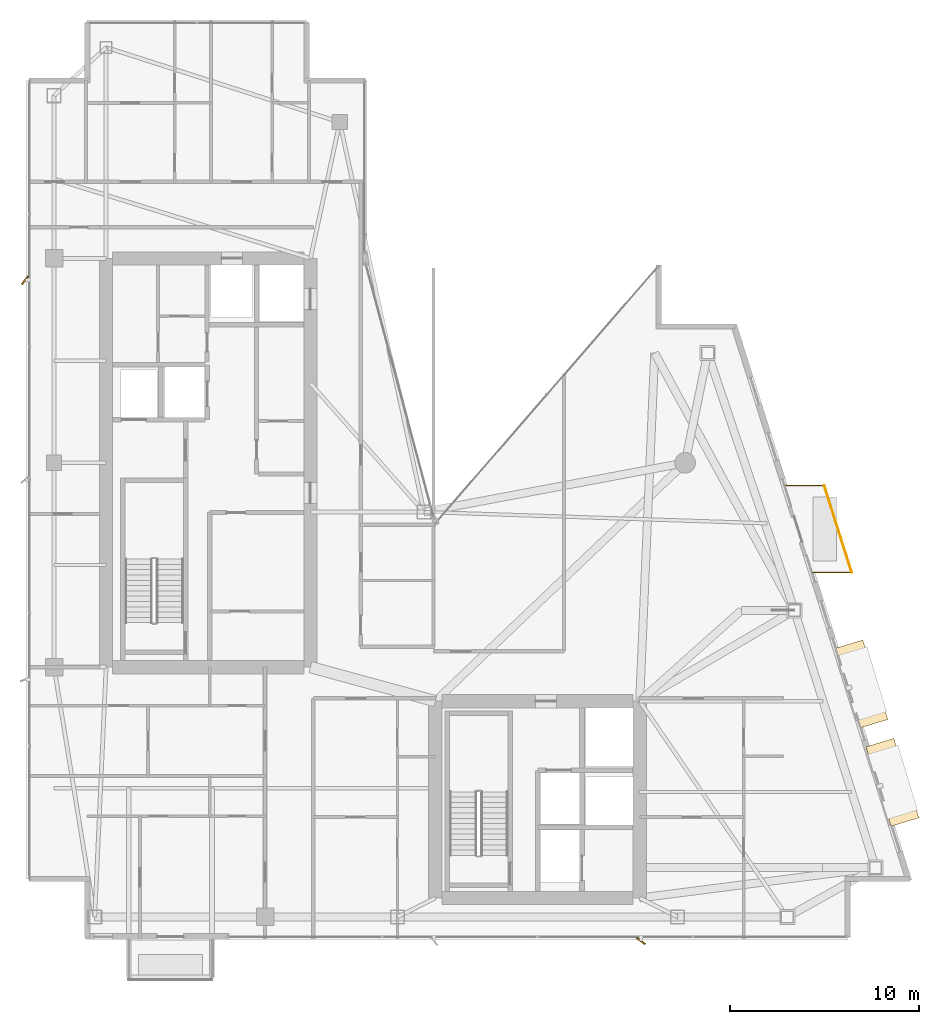
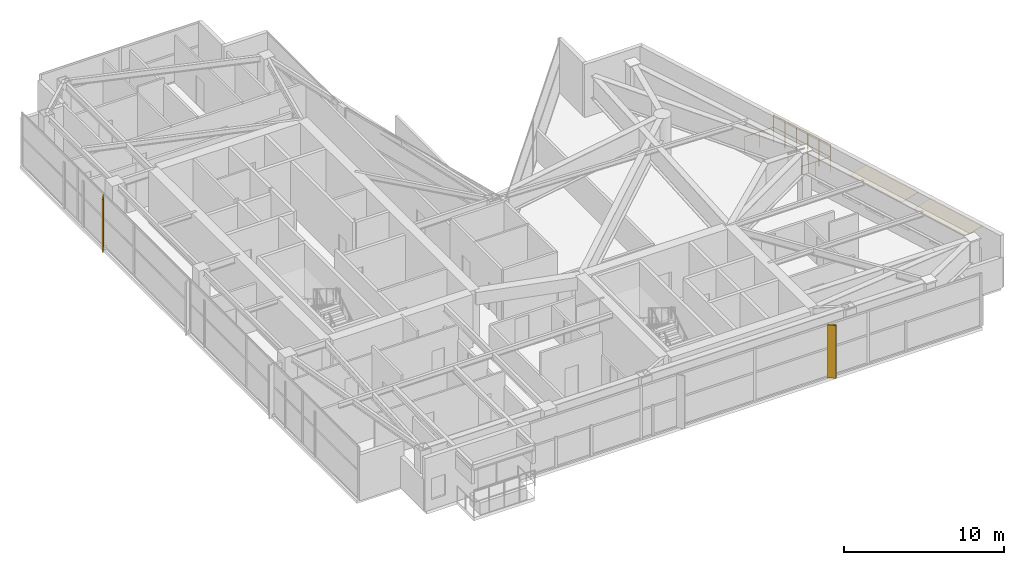
# One storey, part 29 of 29: 2 coverings, 2 railings, 2 shading devices.
"""IFC4 building model written with IfcOpenShell, lengths in metres."""

from ifc_helpers import new_model, si_unit, direction, frame, origin, origin_2d, place, context, subcontext, project, spatial, polyline, rectangle, circle, outline, extrude, material, layer, layer_set, type_object, element, save


model = new_model("IFC4")

# Units and contexts
model_context = context("Model", 3, precision=1e-05, world=origin(), true_north=direction((0.0, 1.0)))
body_context = subcontext(model_context, "Body", "Model", "MODEL_VIEW")
ifc_project = project(units=[si_unit("LENGTHUNIT", "METRE"), si_unit("AREAUNIT", "SQUARE_METRE"), si_unit("VOLUMEUNIT", "CUBIC_METRE"), si_unit("PLANEANGLEUNIT", "RADIAN"), si_unit("MASSUNIT", "GRAM", prefix="KILO")], contexts=[model_context])

# Site, building, storey
site_placement = place(None, origin())
site = spatial("IfcSite", under=ifc_project, at=site_placement, CompositionType="ELEMENT")
building_placement = place(site_placement, origin())
building = spatial("IfcBuilding", under=site, at=building_placement, Name="Calvorn Quay Hotel", CompositionType="ELEMENT")
storey_placement = place(building_placement, frame((0.0, 0.0, 259.0)))
storey = spatial("IfcBuildingStorey", under=building, at=storey_placement, Name="L64", CompositionType="ELEMENT", Elevation=259.0)

# Coverings
ifc_material_1 = material(Name="Pale Anodised Aluminium Rainscreen Cladding", Category="aluminium")
ifc_layer = layer(ifc_material_1, 0.044921875)
ifc_layer_set = layer_set([ifc_layer], Name="COV-CROWN-CLAD")
covering_type = type_object("IfcCoveringType", Name="COV-CROWN-CLAD", PredefinedType="CLADDING", material=ifc_layer_set)
covering_1_placement = place(storey_placement, frame((0.0, 0.0, 2.5048828125)))
element("IfcCovering", 1, at=covering_1_placement, inside=storey, type_object=covering_type, Name="Angled Bay Hood Canopy L64-HOOD-1", PredefinedType="CLADDING", context=body_context, shape_type="SweptSolid", body=[
    extrude(outline(polyline([(44.35693359375, 12.587890625), (45.8310546875, 13.034912109375), (47.154052734375, 8.8349609375), (45.679931640625, 8.387939453125), (44.35693359375, 12.587890625)])), origin(), (0.0, 0.0, 1.0), 0.045166015625),
])
covering_2_placement = place(storey_placement, frame((0.0, 0.0, 2.5048828125)))
element("IfcCovering", 2, at=covering_2_placement, inside=storey, type_object=covering_type, Name="Angled Bay Hood Canopy L64-HOOD-2", PredefinedType="CLADDING", context=body_context, shape_type="SweptSolid", body=[
    extrude(outline(polyline([(42.718017578125, 17.7880859375), (44.19091796875, 18.235107421875), (45.513916015625, 14.034912109375), (44.041015625, 13.587890625), (42.718017578125, 17.7880859375)])), origin(), (0.0, 0.0, 1.0), 0.045166015625),
])

# Railings
ifc_material_2 = material(Name="Pale Anodised Aluminium and Laminated Glass", Category="aluminium")
railing_type = type_object("IfcRailingType", Name="RLG-BALUSTRADE-1200", PredefinedType="BALUSTRADE", material=ifc_material_2)
railing_1_placement = place(storey_placement, frame((41.506103515625, 21.800048828125, 0.0)))
element("IfcRailing", 3, at=railing_1_placement, inside=storey, type_object=railing_type, Name="Tree Balcony Perimeter Balustrade L64-BALC-E", PredefinedType="BALUSTRADE", context=body_context, shape_type="SweptSolid", body=[
    extrude(circle(Radius=0.02392578125, at=origin_2d()), frame((0.0, 0.0, 1.17578125), z_axis=(1.0, 0.0, 0.0), x_axis=(0.0, 1.0, 0.0)), (0.0, 0.0, 1.0), 2.099853515625),
    extrude(circle(Radius=0.02392578125, at=origin_2d()), frame((2.099853515625, 0.0, 1.17578125), z_axis=(-0.300450487966, 0.953797412599, 0.0), x_axis=(-0.953797412599, -0.300450487966, 0.0)), (0.0, 0.0, 1.0), 4.82275390625),
    extrude(circle(Radius=0.02392578125, at=origin_2d()), frame((0.65087890625, 4.599853515625, 1.17578125), z_axis=(-1.0, 0.0, 0.0), x_axis=(0.0, -1.0, 0.0)), (0.0, 0.0, 1.0), 2.10009765625),
    extrude(circle(Radius=0.02099609375, at=origin_2d()), origin(), (0.0, 0.0, 1.0), 1.15185546875),
    extrude(circle(Radius=0.02099609375, at=origin_2d()), frame((1.0498046875, 0.0, 0.0)), (0.0, 0.0, 1.0), 1.15185546875),
    extrude(circle(Radius=0.02099609375, at=origin_2d()), frame((2.099853515625, 0.0, 0.0)), (0.0, 0.0, 1.0), 1.15185546875),
    extrude(circle(Radius=0.02099609375, at=origin_2d()), frame((1.81005859375, 0.919921875, 0.0)), (0.0, 0.0, 1.0), 1.15185546875),
    extrude(circle(Radius=0.02099609375, at=origin_2d()), frame((1.520263671875, 1.83984375, 0.0)), (0.0, 0.0, 1.0), 1.15185546875),
    extrude(circle(Radius=0.02099609375, at=origin_2d()), frame((1.23046875, 2.760009765625, 0.0)), (0.0, 0.0, 1.0), 1.15185546875),
    extrude(circle(Radius=0.02099609375, at=origin_2d()), frame((0.940673828125, 3.679931640625, 0.0)), (0.0, 0.0, 1.0), 1.15185546875),
    extrude(circle(Radius=0.02099609375, at=origin_2d()), frame((0.65087890625, 4.599853515625, 0.0)), (0.0, 0.0, 1.0), 1.15185546875),
    extrude(circle(Radius=0.02099609375, at=origin_2d()), frame((-0.399169921875, 4.599853515625, 0.0)), (0.0, 0.0, 1.0), 1.15185546875),
    extrude(circle(Radius=0.02099609375, at=origin_2d()), frame((-1.44921875, 4.599853515625, 0.0)), (0.0, 0.0, 1.0), 1.15185546875),
])
railing_2_placement = place(storey_placement, frame((43.60595703125, 21.800048828125, 0.89990234375)))
element("IfcRailing", 4, at=railing_2_placement, inside=storey, type_object=railing_type, Name="Planter Kerb High Safety Screen L64-BALC-E", PredefinedType="BALUSTRADE", context=body_context, shape_type="SweptSolid", body=[
    extrude(circle(Radius=0.02392578125, at=origin_2d()), frame((0.0, 0.0, 1.19580078125), z_axis=(-0.300450487966, 0.953797412599, 0.0), x_axis=(-0.953797412599, -0.300450487966, 0.0)), (0.0, 0.0, 1.0), 4.82275390625),
    extrude(circle(Radius=0.02099609375, at=origin_2d()), origin(), (0.0, 0.0, 1.0), 1.171875),
    extrude(circle(Radius=0.02099609375, at=origin_2d()), frame((-0.289794921875, 0.919921875, 0.0)), (0.0, 0.0, 1.0), 1.171875),
    extrude(circle(Radius=0.02099609375, at=origin_2d()), frame((-0.57958984375, 1.83984375, 0.0)), (0.0, 0.0, 1.0), 1.171875),
    extrude(circle(Radius=0.02099609375, at=origin_2d()), frame((-0.869384765625, 2.760009765625, 0.0)), (0.0, 0.0, 1.0), 1.171875),
    extrude(circle(Radius=0.02099609375, at=origin_2d()), frame((-1.1591796875, 3.679931640625, 0.0)), (0.0, 0.0, 1.0), 1.171875),
    extrude(circle(Radius=0.02099609375, at=origin_2d()), frame((-1.448974609375, 4.599853515625, 0.0)), (0.0, 0.0, 1.0), 1.171875),
])

# Shading devices
ifc_material_3 = material(Name="Champagne Bronze Anodised Aluminium 6063-T6", Category="aluminium")
shading_device_type = type_object("IfcShadingDeviceType", Name="SHD-FIN-A3", PredefinedType="USERDEFINED", material=ifc_material_3)
for number, where, z_axis, x_axis, name in (
    (5, (-0.080078125, 37.25, 0.0), (0.0, 0.0, 1.0), (0.587785252292, 0.809016994375, 0.0), "Diagonal Sun-Shading Fin L64-W03"),
    (6, (32.467041015625, 2.320068359375, 0.0), (0.0, 0.0, 1.0), (-0.809016994375, 0.587785252292, 0.0), "Diagonal Sun-Shading Fin L64-S02"),
):
    element("IfcShadingDevice", number, at=place(storey_placement, frame(where, z_axis=z_axis, x_axis=x_axis)), inside=storey, type_object=shading_device_type, Name=name, ObjectType="FIN", PredefinedType="USERDEFINED", context=body_context, shape_type="SweptSolid", body=[
        extrude(rectangle(XDim=0.550048828125, YDim=0.080078125, at=origin_2d()), origin(), (0.0, 0.0, 1.0), 4.050048828125),
    ])

save(model, "model.ifc")
